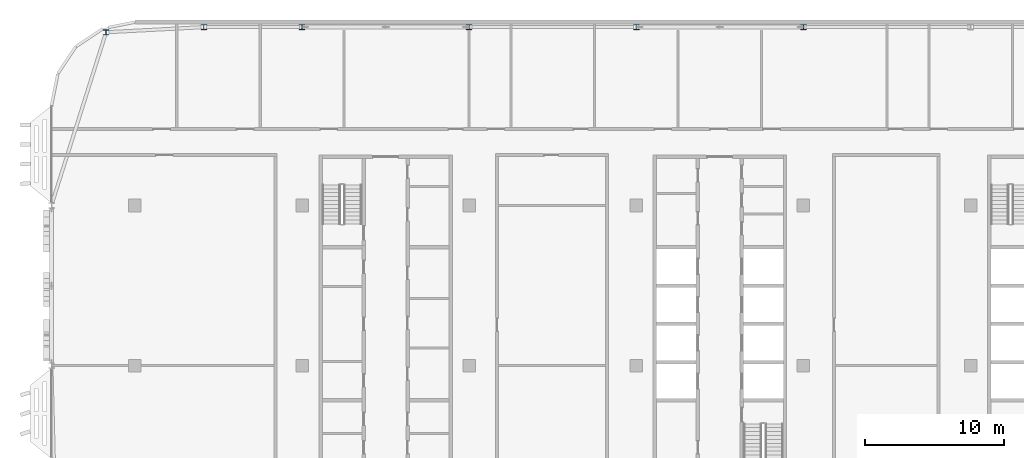
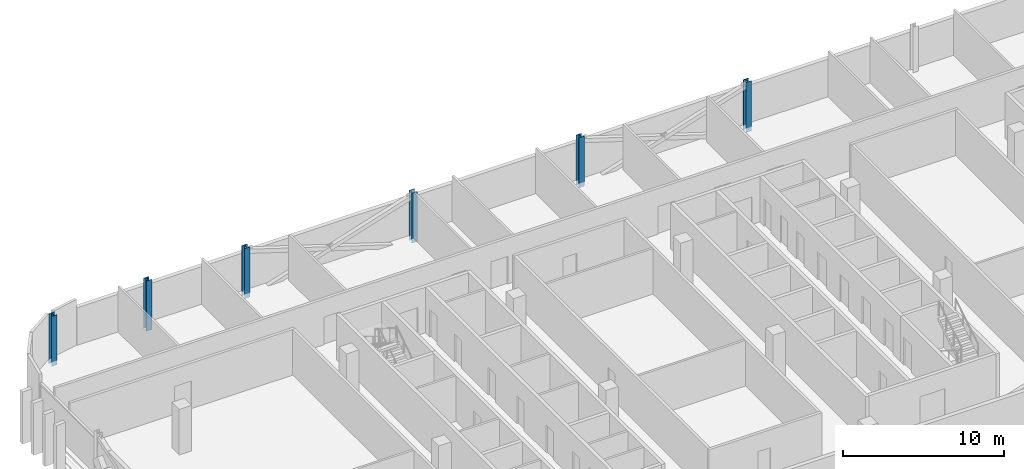
# One storey, part 3 of 25: 6 columns.
"""IFC4 building model written with IfcOpenShell, lengths in metres."""

from ifc_helpers import new_model, si_unit, direction, frame, origin, origin_2d, place, context, subcontext, project, spatial, i_section, extrude, material, material_profile, profile_set, type_object, element, save


model = new_model("IFC4")

# Units and contexts
model_context = context("Model", 3, precision=1e-05, world=origin(), true_north=direction((0.0, 1.0)))
body_context = subcontext(model_context, "Body", "Model", "MODEL_VIEW")
ifc_project = project(units=[si_unit("LENGTHUNIT", "METRE"), si_unit("AREAUNIT", "SQUARE_METRE"), si_unit("VOLUMEUNIT", "CUBIC_METRE"), si_unit("PLANEANGLEUNIT", "RADIAN"), si_unit("MASSUNIT", "GRAM", prefix="KILO")], contexts=[model_context])

# Site, building, storey
site_placement = place(None, origin())
site = spatial("IfcSite", under=ifc_project, at=site_placement, CompositionType="ELEMENT")
building_placement = place(site_placement, origin())
building = spatial("IfcBuilding", under=site, at=building_placement, Name="Mahtab Terrace Research Tower", CompositionType="ELEMENT")
storey_placement = place(building_placement, frame((0.0, 0.0, 278.5)))
storey = spatial("IfcBuildingStorey", under=building, at=storey_placement, Name="L68", CompositionType="ELEMENT", Elevation=278.5)

# Columns
ifc_material = material(Name="Steel ASTM A992 Gr 50", Category="steel")
ifc_material_profile = material_profile(ifc_material, i_section(OverallWidth=0.393798828125, OverallDepth=0.3759765625, WebThickness=0.017333984375, FlangeThickness=0.027587890625, at=origin_2d()), Name="W14X145")
ifc_profile_set = profile_set([ifc_material_profile], Name="Steel ASTM A992 Gr 50")
column_type = type_object("IfcColumnType", Name="W14x145 column CS14145", PredefinedType="COLUMN", material=ifc_profile_set)
for number, where, z_axis, x_axis, name in (
    (1, (6.0, 24.306884765625, -0.340087890625), (0.0, 0.0, 1.0), (1.0, 0.0, 0.0), "Column SC-074 L68"),
    (2, (-6.0, 24.306884765625, -0.340087890625), (0.0, 0.0, 1.0), (1.0, 0.0, 0.0), "Column SC-075 L68"),
    (3, (-18.0, 24.306884765625, -0.340087890625), (0.0, 0.0, 1.0), (1.0, 0.0, 0.0), "Column SC-076 L68"),
    (4, (-30.0, 24.306884765625, -0.340087890625), (0.0, 0.0, 1.0), (1.0, 0.0, 0.0), "Column SC-077 L68"),
    (5, (-37.05810546875, 24.306884765625, -0.340087890625), (0.0, 0.0, 1.0), (1.0, 0.0, 0.0), "Column SC-078 L68"),
    (6, (-44.072021484375, 23.93701171875, -0.340087890625), (0.0, 0.0, 1.0), (1.0, 0.0, 0.0), "Column SC-079 L68"),
):
    element("IfcColumn", number, at=place(storey_placement, frame(where, z_axis=z_axis, x_axis=x_axis)), inside=storey, type_object=column_type, Name=name, PredefinedType="COLUMN", context=body_context, shape_type="SweptSolid", body=[
        extrude(i_section(OverallWidth=0.393798828125, OverallDepth=0.3759765625, WebThickness=0.017333984375, FlangeThickness=0.027587890625, at=origin_2d()), origin(), (0.0, 0.0, 1.0), 3.800048828125),
    ])

save(model, "model.ifc")
